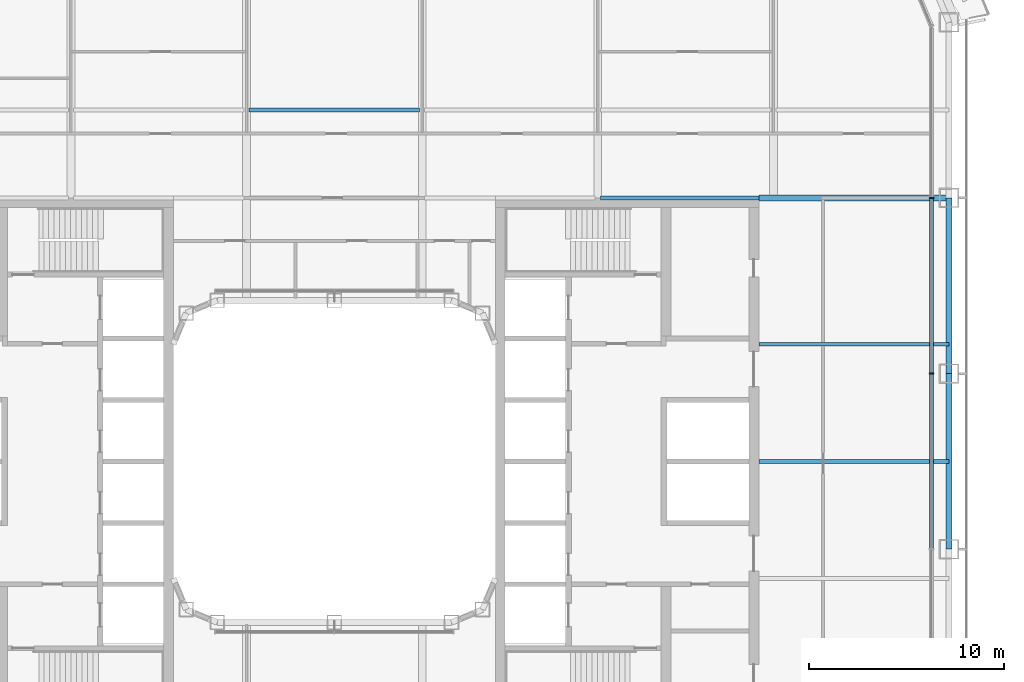
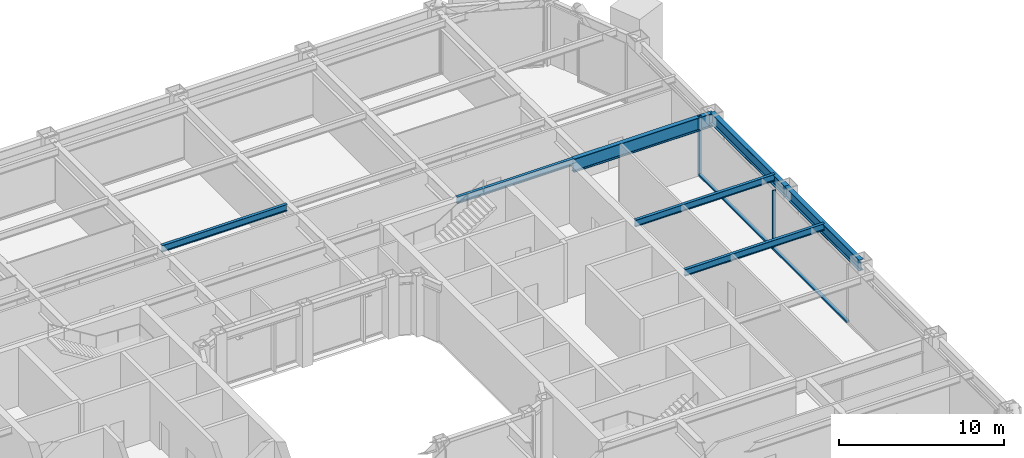
# One storey, part 9 of 30: 7 beams, 4 members, 1 element without a shape of its own.
"""IFC4 building model written with IfcOpenShell, lengths in metres."""

from ifc_helpers import new_model, si_unit, direction, frame, origin, origin_2d, place, context, subcontext, project, spatial, rectangle, i_section, extrude, material, layer, layer_set, material_profile, profile_set, type_object, element, aggregate, save


model = new_model("IFC4")

# Units and contexts
model_context = context("Model", 3, precision=1e-05, world=origin(), true_north=direction((0.0, 1.0)))
body_context = subcontext(model_context, "Body", "Model", "MODEL_VIEW")
ifc_project = project(units=[si_unit("LENGTHUNIT", "METRE"), si_unit("AREAUNIT", "SQUARE_METRE"), si_unit("VOLUMEUNIT", "CUBIC_METRE"), si_unit("PLANEANGLEUNIT", "RADIAN"), si_unit("MASSUNIT", "GRAM", prefix="KILO")], contexts=[model_context])

# Site, building, storey
site_placement = place(None, origin())
site = spatial("IfcSite", under=ifc_project, at=site_placement, CompositionType="ELEMENT")
building_placement = place(site_placement, origin())
building = spatial("IfcBuilding", under=site, at=building_placement, Name="Siwar Civic Tower", CompositionType="ELEMENT")
storey_placement = place(building_placement, frame((0.0, 0.0, 80.699951171875)))
storey = spatial("IfcBuildingStorey", under=building, at=storey_placement, Name="L17", CompositionType="ELEMENT", Elevation=80.699951171875)

# Curtain wall, members
ifc_material_1 = material(Name="Aluminium and glass", Category="aluminium")
ifc_layer = layer(ifc_material_1, 0.219970703125)
ifc_layer_set = layer_set([ifc_layer], Name="Aluminium and glass")
curtain_wall_type = type_object("IfcCurtainWallType", Name="ENV-CW-A", PredefinedType="NOTDEFINED", material=ifc_layer_set)
curtain_wall_placement = place(storey_placement, origin())
curtain_wall = element("IfcCurtainWall", 1, at=curtain_wall_placement, inside=storey, type_object=curtain_wall_type, Name="Curtain wall A E", PredefinedType="NOTDEFINED")
ifc_material_2 = material(Name="Aluminium 6063-T6", Category="aluminium")
ifc_material_profile_1 = material_profile(ifc_material_2, rectangle(XDim=0.219970703125, YDim=0.070068359375, at=origin_2d()), Name="AL 220x70")
ifc_profile_set_1 = profile_set([ifc_material_profile_1], Name="Aluminium 6063-T6")
member_type_1 = type_object("IfcMemberType", Name="ENV-MULLION-A", PredefinedType="MULLION", material=ifc_profile_set_1)
member_1_placement = place(storey_placement, frame((30.60009765625, 4.5, 0.0), z_axis=(0.0, 0.0, 1.0), x_axis=(-1.0, 0.0, 0.0)))
member_1 = element("IfcMember", 2, at=member_1_placement, type_object=member_type_1, Name="Mullion A E 4", PredefinedType="MULLION", context=body_context, shape_type="SweptSolid", body=[
    extrude(rectangle(XDim=0.219970703125, YDim=0.070068359375, at=origin_2d()), origin(), (0.0, 0.0, 1.0), 4.35009765625),
])
member_2_placement = place(storey_placement, frame((30.60009765625, 13.5, 0.0), z_axis=(0.0, 0.0, 1.0), x_axis=(-1.0, 0.0, 0.0)))
member_2 = element("IfcMember", 3, at=member_2_placement, type_object=member_type_1, Name="Mullion A E 5", PredefinedType="MULLION", context=body_context, shape_type="SweptSolid", body=[
    extrude(rectangle(XDim=0.219970703125, YDim=0.070068359375, at=origin_2d()), origin(), (0.0, 0.0, 1.0), 4.35009765625),
])
ifc_material_3 = material(Name="Aluminium 6063-T6", Category="aluminium")
ifc_material_profile_2 = material_profile(ifc_material_3, rectangle(XDim=0.219970703125, YDim=0.1201171875, at=origin_2d()), Name="AL 220x120")
ifc_profile_set_2 = profile_set([ifc_material_profile_2], Name="Aluminium 6063-T6")
member_type_2 = type_object("IfcMemberType", Name="ENV-TRANSOM-A", PredefinedType="USERDEFINED", material=ifc_profile_set_2)
member_3_placement = place(storey_placement, frame((30.60009765625, -4.465087890625, 0.06005859375), z_axis=(0.0, 1.0, 0.0), x_axis=(-1.0, 0.0, 0.0)))
member_3 = element("IfcMember", 4, at=member_3_placement, type_object=member_type_2, Name="Transom A E 3", ObjectType="TRANSOM", PredefinedType="USERDEFINED", context=body_context, shape_type="SweptSolid", body=[
    extrude(rectangle(XDim=0.219970703125, YDim=0.1201171875, at=origin_2d()), origin(), (0.0, 0.0, 1.0), 8.93017578125),
])
member_4_placement = place(storey_placement, frame((30.60009765625, 4.534912109375, 0.06005859375), z_axis=(0.0, 1.0, 0.0), x_axis=(-1.0, 0.0, 0.0)))
member_4 = element("IfcMember", 5, at=member_4_placement, type_object=member_type_2, Name="Transom A E 4", ObjectType="TRANSOM", PredefinedType="USERDEFINED", context=body_context, shape_type="SweptSolid", body=[
    extrude(rectangle(XDim=0.219970703125, YDim=0.1201171875, at=origin_2d()), origin(), (0.0, 0.0, 1.0), 8.93017578125),
])
aggregate(curtain_wall, [member_1, member_2, member_3, member_4])

# Beams
ifc_material_4 = material(Name="Steel S355", Category="steel")
ifc_material_profile_3 = material_profile(ifc_material_4, i_section(OverallWidth=0.199951171875, OverallDepth=0.5, WebThickness=0.01025390625, FlangeThickness=0.01611328125, FilletRadius=0.02099609375, at=origin_2d()), Name="IPE500")
ifc_profile_set_3 = profile_set([ifc_material_profile_3], Name="Steel S355")
beam_type_1 = type_object("IfcBeamType", Name="STR-FB-IPE500", PredefinedType="JOIST", material=ifc_profile_set_3)
for number, where, z_axis, x_axis, name in (
    (6, (21.75, 0.0, 4.10009765625), (1.0, 0.0, 0.0), (0.0, 1.0, 0.0), "L17/bm/F034"),
    (7, (21.75, 6.0, 4.10009765625), (1.0, 0.0, 0.0), (0.0, 1.0, 0.0), "L17/bm/F036"),
):
    element("IfcBeam", number, at=place(storey_placement, frame(where, z_axis=z_axis, x_axis=x_axis)), inside=storey, type_object=beam_type_1, Name=name, PredefinedType="JOIST", context=body_context, shape_type="SweptSolid", body=[
        extrude(i_section(OverallWidth=0.199951171875, OverallDepth=0.5, WebThickness=0.01025390625, FlangeThickness=0.01611328125, FilletRadius=0.02099609375, at=origin_2d()), origin(), (0.0, 0.0, 1.0), 9.75),
    ])
beam_1_placement = place(storey_placement, frame((13.6298828125, 13.5, 4.10009765625), z_axis=(1.0, 0.0, 0.0), x_axis=(0.0, 1.0, 0.0)))
element("IfcBeam", 8, at=beam_1_placement, inside=storey, type_object=beam_type_1, Name="L17/bm/F044", PredefinedType="JOIST", context=body_context, shape_type="SweptSolid", body=[
    extrude(i_section(OverallWidth=0.199951171875, OverallDepth=0.5, WebThickness=0.01025390625, FlangeThickness=0.01611328125, FilletRadius=0.02099609375, at=origin_2d()), origin(), (0.0, 0.0, 1.0), 8.1201171875),
])
beam_2_placement = place(storey_placement, frame((-4.3701171875, 18.0, 4.10009765625), z_axis=(1.0, 0.0, 0.0), x_axis=(0.0, 1.0, 0.0)))
element("IfcBeam", 9, at=beam_2_placement, inside=storey, type_object=beam_type_1, Name="L17/bm/F049", PredefinedType="JOIST", context=body_context, shape_type="SweptSolid", body=[
    extrude(i_section(OverallWidth=0.199951171875, OverallDepth=0.5, WebThickness=0.01025390625, FlangeThickness=0.01611328125, FilletRadius=0.02099609375, at=origin_2d()), origin(), (0.0, 0.0, 1.0), 8.740234375),
])
ifc_material_5 = material(Name="Steel S355", Category="steel")
ifc_material_profile_4 = material_profile(ifc_material_5, i_section(OverallWidth=0.300048828125, OverallDepth=1.0, WebThickness=0.01904296875, FlangeThickness=0.035888671875, FilletRadius=0.030029296875, at=origin_2d()), Name="HEB1000")
ifc_profile_set_4 = profile_set([ifc_material_profile_4], Name="Steel S355")
beam_type_2 = type_object("IfcBeamType", Name="STR-PG-HEB1000", PredefinedType="BEAM", material=ifc_profile_set_4)
beam_3_placement = place(storey_placement, frame((21.75, 13.5, 3.85009765625), z_axis=(1.0, 0.0, 0.0), x_axis=(0.0, 1.0, 0.0)))
element("IfcBeam", 10, at=beam_3_placement, inside=storey, type_object=beam_type_2, Name="L17/bm/F045", PredefinedType="BEAM", context=body_context, shape_type="SweptSolid", body=[
    extrude(i_section(OverallWidth=0.300048828125, OverallDepth=1.0, WebThickness=0.01904296875, FlangeThickness=0.035888671875, FilletRadius=0.030029296875, at=origin_2d()), origin(), (0.0, 0.0, 1.0), 9.75),
])
ifc_material_6 = material(Name="Steel S355", Category="steel")
ifc_material_profile_5 = material_profile(ifc_material_6, i_section(OverallWidth=0.302978515625, OverallDepth=0.81396484375, WebThickness=0.02099609375, FlangeThickness=0.0400390625, FilletRadius=0.030029296875, at=origin_2d()), Name="HEM800")
ifc_profile_set_5 = profile_set([ifc_material_profile_5], Name="Steel S355")
beam_type_3 = type_object("IfcBeamType", Name="STR-SB-HEM800", PredefinedType="BEAM", material=ifc_profile_set_5)
for number, where, z_axis, x_axis, name in (
    (11, (31.5, -4.5, 3.943115234375), (0.0, 1.0, 0.0), (-1.0, 0.0, 0.0), "L17/bm/SE-2"),
    (12, (31.5, 4.5, 3.943115234375), (0.0, 1.0, 0.0), (-1.0, 0.0, 0.0), "L17/bm/SE-3"),
):
    element("IfcBeam", number, at=place(storey_placement, frame(where, z_axis=z_axis, x_axis=x_axis)), inside=storey, type_object=beam_type_3, Name=name, PredefinedType="BEAM", context=body_context, shape_type="SweptSolid", body=[
        extrude(i_section(OverallWidth=0.302978515625, OverallDepth=0.81396484375, WebThickness=0.02099609375, FlangeThickness=0.0400390625, FilletRadius=0.030029296875, at=origin_2d()), origin(), (0.0, 0.0, 1.0), 9.0),
    ])

save(model, "model.ifc")
